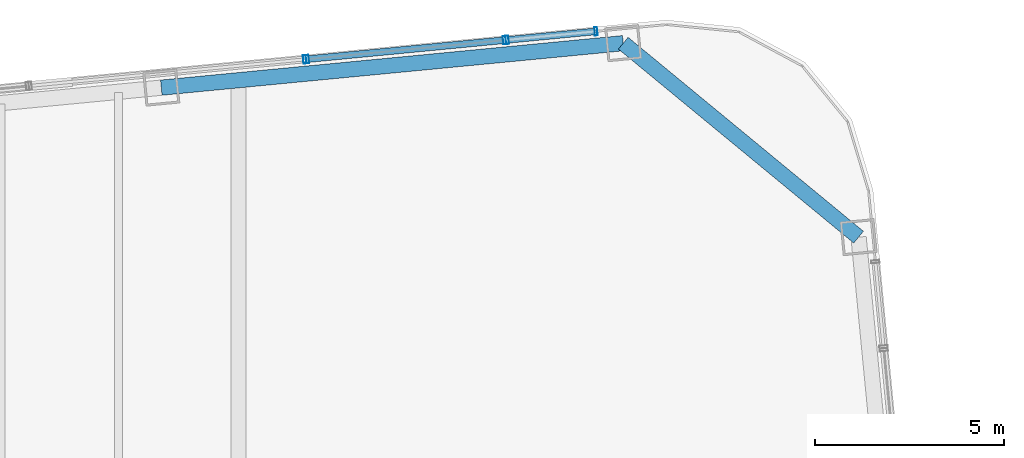
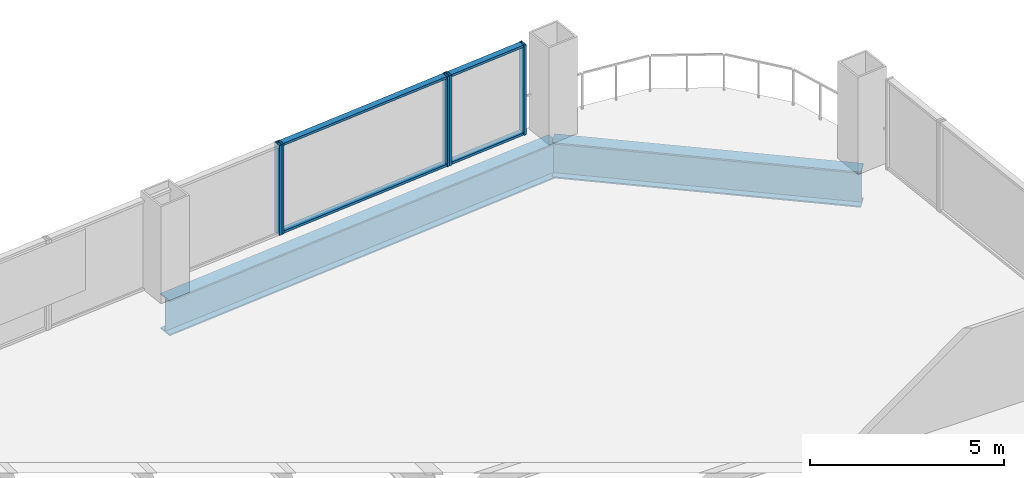
# One storey, part 20 of 26: 9 members, 2 beams, 3 elements without a shape of their own.
"""IFC4 building model written with IfcOpenShell, lengths in metres."""

from ifc_helpers import new_model, si_unit, direction, frame, origin, origin_2d, place, context, subcontext, project, spatial, hollow_rectangle, i_section, extrude, material, layer, layer_set, material_profile, profile_set, type_object, element, aggregate, save


model = new_model("IFC4")

# Units and contexts
model_context = context("Model", 3, precision=1e-05, world=origin(), true_north=direction((0.0, 1.0)))
body_context = subcontext(model_context, "Body", "Model", "MODEL_VIEW")
ifc_project = project(units=[si_unit("LENGTHUNIT", "METRE"), si_unit("AREAUNIT", "SQUARE_METRE"), si_unit("VOLUMEUNIT", "CUBIC_METRE"), si_unit("PLANEANGLEUNIT", "RADIAN"), si_unit("MASSUNIT", "GRAM", prefix="KILO")], contexts=[model_context])

# Site, building, storey
site_placement = place(None, origin())
site = spatial("IfcSite", under=ifc_project, at=site_placement, CompositionType="ELEMENT")
building_placement = place(site_placement, origin())
building = spatial("IfcBuilding", under=site, at=building_placement, Name="Qhalaya Broadcast Tower", CompositionType="ELEMENT")
storey_placement = place(building_placement, frame((0.0, 0.0, 72.5)))
storey = spatial("IfcBuildingStorey", under=building, at=storey_placement, Name="L20", CompositionType="ELEMENT", Elevation=72.5)

# Beams
ifc_material_1 = material(Name="Structural Steel ASTM A992 Grade 50", Category="steel")
ifc_material_profile_1 = material_profile(ifc_material_1, i_section(OverallWidth=0.404052734375, OverallDepth=1.117919921875, WebThickness=0.026123046875, FlangeThickness=0.044921875, at=origin_2d()), Name="W44X335")
ifc_profile_set_1 = profile_set([ifc_material_profile_1], Name="Structural Steel ASTM A992 Grade 50")
beam_type = type_object("IfcBeamType", Name="Podium Long-Span Primary Girder PG1", PredefinedType="USERDEFINED", material=ifc_profile_set_1)
beam_1_placement = place(storey_placement, frame((25.765380859375, 24.165283203125, -0.779052734375), z_axis=(-0.771633771695, 0.636067073806, 0.0), x_axis=(-0.636067073806, -0.771633771695, 0.0)))
element("IfcBeam", 1, at=beam_1_placement, inside=storey, type_object=beam_type, Name="L20 PG1 L20-SPR-08", ObjectType="GIRDER", PredefinedType="USERDEFINED", context=body_context, shape_type="SweptSolid", body=[
    extrude(i_section(OverallWidth=0.404052734375, OverallDepth=1.117919921875, WebThickness=0.026123046875, FlangeThickness=0.044921875, at=origin_2d()), origin(), (0.0, 0.0, 1.0), 8.060791015625),
])
beam_2_placement = place(storey_placement, frame((19.54541015625, 29.29248046875, -0.779052734375), z_axis=(-0.995397535354, -0.095831866369, 0.0), x_axis=(0.095831866369, -0.995397535354, 0.0)))
element("IfcBeam", 2, at=beam_2_placement, inside=storey, type_object=beam_type, Name="L20 PG1 L20-SPR-09", ObjectType="GIRDER", PredefinedType="USERDEFINED", context=body_context, shape_type="SweptSolid", body=[
    extrude(i_section(OverallWidth=0.404052734375, OverallDepth=1.117919921875, WebThickness=0.026123046875, FlangeThickness=0.044921875, at=origin_2d()), origin(), (0.0, 0.0, 1.0), 12.2666015625),
])

# Curtain wall, members
ifc_material_2 = material(Name="Fired Architectural Terracotta", Category="masonry")
ifc_layer_1 = layer(ifc_material_2, 0.219970703125, Name="Fired Architectural Terracotta")
ifc_layer_set_1 = layer_set([ifc_layer_1], Name="Fired Architectural Terracotta")
curtain_wall_type_1 = type_object("IfcCurtainWallType", Name="Block-Cap Unitised Terracotta Spandrel Wall CW-07", PredefinedType="NOTDEFINED", material=ifc_layer_set_1)
curtain_wall_1_placement = place(storey_placement, origin())
curtain_wall_1 = element("IfcCurtainWall", 3, at=curtain_wall_1_placement, inside=storey, type_object=curtain_wall_type_1, Name="L20 Unitised Curtain Wall L20-CW-N1", PredefinedType="NOTDEFINED")
ifc_material_3 = material(Name="Anodised Aluminium 6063-T6", Category="aluminium")
ifc_material_profile_2 = material_profile(ifc_material_3, hollow_rectangle(XDim=0.074951171875, YDim=0.219970703125, WallThickness=0.00390625, at=origin_2d()), Name="ALU-MUL 75x220x4")
ifc_profile_set_2 = profile_set([ifc_material_profile_2], Name="Anodised Aluminium 6063-T6")
member_type_1 = type_object("IfcMemberType", Name="Unitised Curtain-Wall Mullion M01", PredefinedType="MULLION", material=ifc_profile_set_2)
member_1_placement = place(storey_placement, frame((18.82470703125, 29.60498046875, 0.0), z_axis=(0.0, 0.0, 1.0), x_axis=(-0.99539620774, -0.09584565518, 0.0)))
member_1 = element("IfcMember", 4, at=member_1_placement, type_object=member_type_1, Name="CW-07 mullion 1", PredefinedType="MULLION", context=body_context, shape_type="SweptSolid", body=[
    extrude(hollow_rectangle(XDim=0.074951171875, YDim=0.219970703125, WallThickness=0.00390625, at=origin_2d()), origin(), (0.0, 0.0, 1.0), 2.830078125),
])
member_2_placement = place(storey_placement, frame((16.4794921875, 29.379150390625, 0.0), z_axis=(0.0, 0.0, 1.0), x_axis=(-0.99539620774, -0.09584565518, 0.0)))
member_2 = element("IfcMember", 5, at=member_2_placement, type_object=member_type_1, Name="CW-07 mullion 2", PredefinedType="MULLION", context=body_context, shape_type="SweptSolid", body=[
    extrude(hollow_rectangle(XDim=0.074951171875, YDim=0.219970703125, WallThickness=0.00390625, at=origin_2d()), origin(), (0.0, 0.0, 1.0), 2.830078125),
])

ifc_material_4 = material(Name="Solar-Control Low-E Triple Glazing", Category="glass")
ifc_layer_2 = layer(ifc_material_4, 0.219970703125, Name="Solar-Control Low-E Triple Glazing")
ifc_layer_set_2 = layer_set([ifc_layer_2], Name="Solar-Control Low-E Triple Glazing")
curtain_wall_type_2 = type_object("IfcCurtainWallType", Name="Even-Block 4-Storey Double-Module Curtain Wall CW-03", PredefinedType="NOTDEFINED", material=ifc_layer_set_2)
curtain_wall_2_placement = place(storey_placement, origin())
curtain_wall_2 = element("IfcCurtainWall", 6, at=curtain_wall_2_placement, inside=storey, type_object=curtain_wall_type_2, Name="L20 Unitised Curtain Wall L20-CW-N2", PredefinedType="NOTDEFINED")
member_3_placement = place(storey_placement, frame((16.40478515625, 29.3720703125, 0.0), z_axis=(0.0, 0.0, 1.0), x_axis=(-0.995395549991, -0.095852485923, 0.0)))
member_3 = element("IfcMember", 7, at=member_3_placement, type_object=member_type_1, Name="CW-03 mullion 1", PredefinedType="MULLION", context=body_context, shape_type="SweptSolid", body=[
    extrude(hollow_rectangle(XDim=0.074951171875, YDim=0.219970703125, WallThickness=0.00390625, at=origin_2d()), origin(), (0.0, 0.0, 1.0), 2.830078125),
])
member_4_placement = place(storey_placement, frame((11.198974609375, 28.87060546875, 0.0), z_axis=(0.0, 0.0, 1.0), x_axis=(-0.995395549991, -0.095852485923, 0.0)))
member_4 = element("IfcMember", 8, at=member_4_placement, type_object=member_type_1, Name="CW-03 mullion 2", PredefinedType="MULLION", context=body_context, shape_type="SweptSolid", body=[
    extrude(hollow_rectangle(XDim=0.074951171875, YDim=0.219970703125, WallThickness=0.00390625, at=origin_2d()), origin(), (0.0, 0.0, 1.0), 2.830078125),
])

# Curtain wall, member
curtain_wall_3_placement = place(storey_placement, origin())
curtain_wall_3 = element("IfcCurtainWall", 9, at=curtain_wall_3_placement, inside=storey, type_object=curtain_wall_type_1, Name="L20 Unitised Curtain Wall L20-CW-N3", PredefinedType="NOTDEFINED")
member_5_placement = place(storey_placement, frame((11.124267578125, 28.863525390625, 0.0), z_axis=(0.0, 0.0, 1.0), x_axis=(-0.995396450907, -0.095843129762, 0.0)))
member_5 = element("IfcMember", 10, at=member_5_placement, type_object=member_type_1, Name="CW-07 mullion 1", PredefinedType="MULLION", context=body_context, shape_type="SweptSolid", body=[
    extrude(hollow_rectangle(XDim=0.074951171875, YDim=0.219970703125, WallThickness=0.00390625, at=origin_2d()), origin(), (0.0, 0.0, 1.0), 2.830078125),
])
aggregate(curtain_wall_3, [member_5])

# Member
ifc_material_profile_3 = material_profile(ifc_material_3, hollow_rectangle(XDim=0.074951171875, YDim=0.179931640625, WallThickness=0.00390625, at=origin_2d()), Name="ALU-TRN 75x180x4")
ifc_profile_set_3 = profile_set([ifc_material_profile_3], Name="Anodised Aluminium 6063-T6")
member_type_2 = type_object("IfcMemberType", Name="Unitised Curtain-Wall Transom T01", PredefinedType="USERDEFINED", material=ifc_profile_set_3)
member_6_placement = place(storey_placement, frame((18.787353515625, 29.601318359375, 0.03759765625), z_axis=(-0.995401181684, -0.095793984689, 0.0), x_axis=(0.0, 0.0, 1.0)))
member_6 = element("IfcMember", 11, at=member_6_placement, type_object=member_type_2, Name="CW-07 transom 1.1", ObjectType="TRANSOM", PredefinedType="USERDEFINED", context=body_context, shape_type="SweptSolid", body=[
    extrude(hollow_rectangle(XDim=0.074951171875, YDim=0.179931640625, WallThickness=0.00390625, at=origin_2d()), origin(), (0.0, 0.0, 1.0), 2.281005859375),
])

member_7_placement = place(storey_placement, frame((18.787353515625, 29.601318359375, 2.79248046875), z_axis=(-0.995401181684, -0.095793984689, 0.0), x_axis=(0.0, 0.0, 1.0)))
member_7 = element("IfcMember", 12, at=member_7_placement, type_object=member_type_2, Name="CW-07 transom 1.2", ObjectType="TRANSOM", PredefinedType="USERDEFINED", context=body_context, shape_type="SweptSolid", body=[
    extrude(hollow_rectangle(XDim=0.074951171875, YDim=0.179931640625, WallThickness=0.00390625, at=origin_2d()), origin(), (0.0, 0.0, 1.0), 2.281005859375),
])

aggregate(curtain_wall_1, [member_1, member_2, member_6, member_7])

member_8_placement = place(storey_placement, frame((16.367431640625, 29.368408203125, 0.03759765625), z_axis=(-0.995394874019, -0.095859505401, 0.0), x_axis=(0.0, 0.0, 1.0)))
member_8 = element("IfcMember", 13, at=member_8_placement, type_object=member_type_2, Name="CW-03 transom 1.1", ObjectType="TRANSOM", PredefinedType="USERDEFINED", context=body_context, shape_type="SweptSolid", body=[
    extrude(hollow_rectangle(XDim=0.074951171875, YDim=0.179931640625, WallThickness=0.00390625, at=origin_2d()), origin(), (0.0, 0.0, 1.0), 5.15478515625),
])

member_9_placement = place(storey_placement, frame((16.367431640625, 29.368408203125, 2.79248046875), z_axis=(-0.995394874019, -0.095859505401, 0.0), x_axis=(0.0, 0.0, 1.0)))
member_9 = element("IfcMember", 14, at=member_9_placement, type_object=member_type_2, Name="CW-03 transom 1.2", ObjectType="TRANSOM", PredefinedType="USERDEFINED", context=body_context, shape_type="SweptSolid", body=[
    extrude(hollow_rectangle(XDim=0.074951171875, YDim=0.179931640625, WallThickness=0.00390625, at=origin_2d()), origin(), (0.0, 0.0, 1.0), 5.15478515625),
])

aggregate(curtain_wall_2, [member_3, member_4, member_8, member_9])

save(model, "model.ifc")
